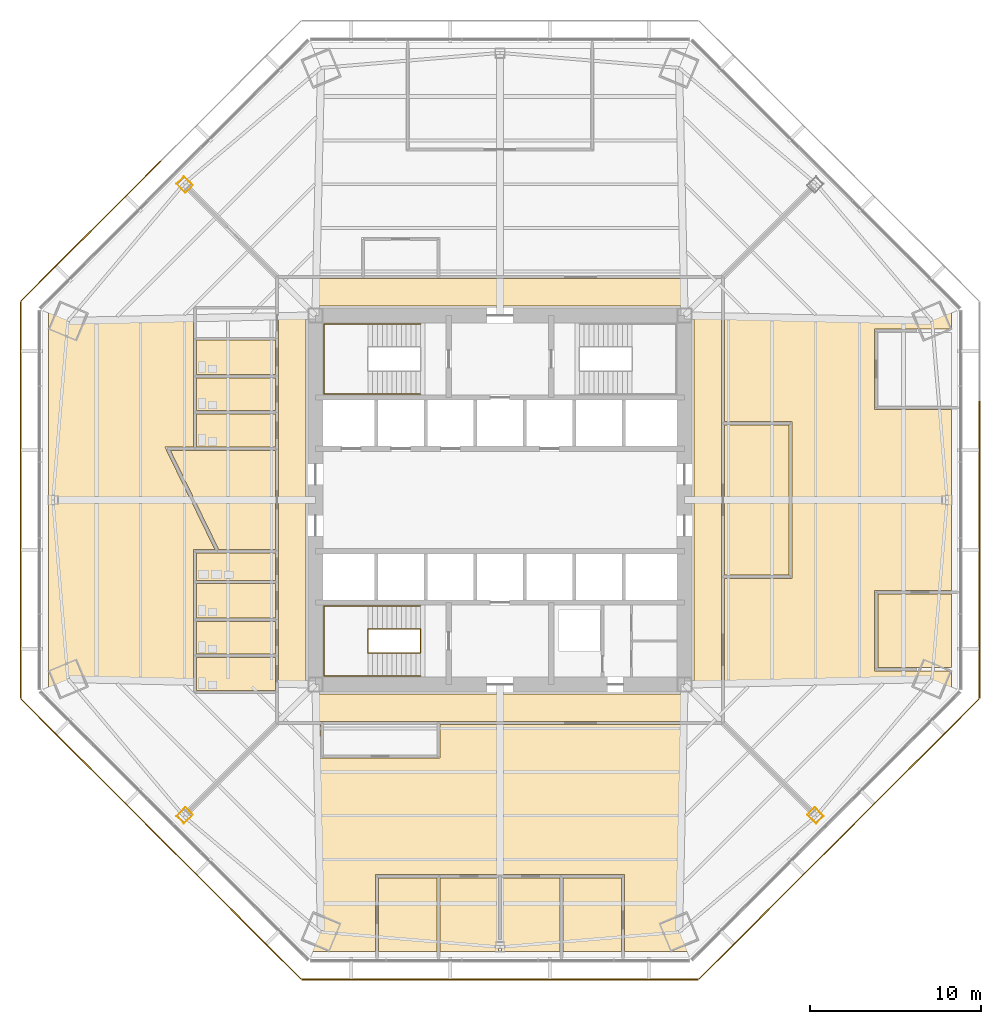
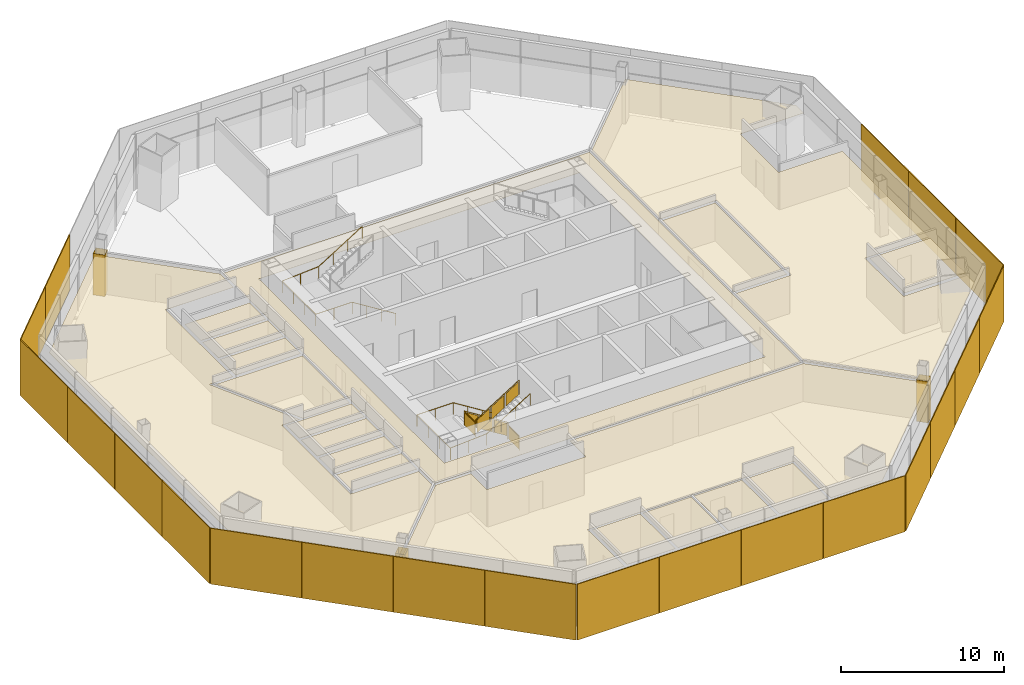
# One storey, part 13 of 15: 21 coverings, 21 shading devices, 3 railings.
"""IFC4 building model written with IfcOpenShell, lengths in metres."""

from ifc_helpers import new_model, si_unit, direction, frame, origin, origin_2d, place, context, subcontext, project, spatial, polyline, rectangle, circle, outline, extrude, source, transform, mapped, material, layer, layer_set, type_object, type_shapes, element, save


model = new_model("IFC4")

# Units and contexts
model_context = context("Model", 3, precision=1e-05, world=origin(), true_north=direction((0.0, 1.0)))
body_context = subcontext(model_context, "Body", "Model", "MODEL_VIEW")
ifc_project = project(units=[si_unit("LENGTHUNIT", "METRE"), si_unit("AREAUNIT", "SQUARE_METRE"), si_unit("VOLUMEUNIT", "CUBIC_METRE"), si_unit("PLANEANGLEUNIT", "RADIAN"), si_unit("MASSUNIT", "GRAM", prefix="KILO")], contexts=[model_context])

# Site, building, storey
site_placement = place(None, origin())
site = spatial("IfcSite", under=ifc_project, at=site_placement, CompositionType="ELEMENT")
building_placement = place(site_placement, origin())
building = spatial("IfcBuilding", under=site, at=building_placement, Name="Mashrafa Tower", CompositionType="ELEMENT")
storey_placement = place(building_placement, frame((0.0, 0.0, 37.199951171875)))
storey = spatial("IfcBuildingStorey", under=building, at=storey_placement, Name="L07", CompositionType="ELEMENT", Elevation=37.199951171875)

# Coverings
ifc_material_1 = material(Name="Gypsum board")
ifc_layer_1 = layer(ifc_material_1, 0.014892578125)
ifc_layer_set_1 = layer_set([ifc_layer_1], Name="Column casing plasterboard 15")
covering_type_1 = type_object("IfcCoveringType", Name="Column casing plasterboard 15", PredefinedType="CLADDING", material=ifc_layer_set_1)
covering_1_placement = place(storey_placement, origin())
element("IfcCovering", 1, at=covering_1_placement, inside=storey, type_object=covering_type_1, Name="Column casing L07-002", PredefinedType="CLADDING", context=body_context, shape_type="SweptSolid", body=[
    extrude(outline(polyline([(-18.9453125, 18.499755859375), (-18.499755859375, 18.9453125), (-17.969970703125, 18.41552734375), (-18.41552734375, 17.969970703125), (-18.9453125, 18.499755859375)]), holes=[polyline([(-17.9912109375, 18.41552734375), (-18.499755859375, 18.923828125), (-18.923828125, 18.499755859375), (-18.41552734375, 17.9912109375), (-17.9912109375, 18.41552734375)])]), origin(), (0.0, 0.0, 1.0), 3.097900390625),
])
covering_2_placement = place(storey_placement, origin())
element("IfcCovering", 2, at=covering_2_placement, inside=storey, type_object=covering_type_1, Name="Column casing L07-003", PredefinedType="CLADDING", context=body_context, shape_type="SweptSolid", body=[
    extrude(outline(polyline([(-18.9453125, -18.499755859375), (-18.41552734375, -17.969970703125), (-17.969970703125, -18.41552734375), (-18.499755859375, -18.9453125), (-18.9453125, -18.499755859375)]), holes=[polyline([(-17.9912109375, -18.41552734375), (-18.41552734375, -17.9912109375), (-18.923828125, -18.499755859375), (-18.499755859375, -18.923828125), (-17.9912109375, -18.41552734375)])]), origin(), (0.0, 0.0, 1.0), 3.097900390625),
])
covering_3_placement = place(storey_placement, origin())
element("IfcCovering", 3, at=covering_3_placement, inside=storey, type_object=covering_type_1, Name="Column casing L07-004", PredefinedType="CLADDING", context=body_context, shape_type="SweptSolid", body=[
    extrude(outline(polyline([(17.969970703125, -18.41552734375), (18.41552734375, -17.969970703125), (18.9453125, -18.499755859375), (18.499755859375, -18.9453125), (17.969970703125, -18.41552734375)]), holes=[polyline([(18.923828125, -18.499755859375), (18.41552734375, -17.9912109375), (17.9912109375, -18.41552734375), (18.499755859375, -18.923828125), (18.923828125, -18.499755859375)])]), origin(), (0.0, 0.0, 1.0), 3.097900390625),
])

# Railings
ifc_material_2 = material(Name="Steel guard with glass infill", Category="steel")
railing_type_1 = type_object("IfcRailingType", Name="Stair guard 1100", PredefinedType="GUARDRAIL", material=ifc_material_2)
railing_1_placement = place(storey_placement, frame((-4.64990234375, -8.949951171875, 0.0)))
element("IfcRailing", 4, at=railing_1_placement, inside=storey, type_object=railing_type_1, Name="Stair S3 guard L07", PredefinedType="GUARDRAIL", context=body_context, shape_type="SweptSolid", body=[
    extrude(circle(Radius=0.02392578125, at=origin_2d()), frame((0.0, 0.0, 1.076171875), z_axis=(0.0, 1.0, 0.0), x_axis=(-1.0, 0.0, 0.0)), (0.0, 0.0, 1.0), 1.39990234375),
    extrude(circle(Radius=0.02392578125, at=origin_2d()), frame((0.0, 1.39990234375, 1.076171875), z_axis=(0.0, 0.0, 1.0), x_axis=(1.0, 0.0, 0.0)), (0.0, 0.0, 1.0), 0.175048828125),
    extrude(circle(Radius=0.02392578125, at=origin_2d()), frame((0.0, 1.39990234375, 1.2509765625), z_axis=(-0.847998304005, 0.0, 0.529998940003), x_axis=(0.0, -1.0, 0.0)), (0.0, 0.0, 1.0), 3.632080078125),
    extrude(circle(Radius=0.02392578125, at=origin_2d()), frame((-3.080078125, 1.39990234375, 3.17626953125), z_axis=(0.0, -1.0, 0.0), x_axis=(1.0, 0.0, 0.0)), (0.0, 0.0, 1.0), 1.39990234375),
    extrude(circle(Radius=0.02392578125, at=origin_2d()), frame((-3.080078125, 0.0, 3.17626953125), z_axis=(0.0, 0.0, 1.0), x_axis=(1.0, 0.0, 0.0)), (0.0, 0.0, 1.0), 0.175048828125),
    extrude(circle(Radius=0.02392578125, at=origin_2d()), frame((-3.080078125, 0.0, 3.35107421875), z_axis=(0.848028513186, 0.0, 0.529950602248), x_axis=(0.0, 1.0, 0.0)), (0.0, 0.0, 1.0), 3.632080078125),
    extrude(circle(Radius=0.02099609375, at=origin_2d()), origin(), (0.0, 0.0, 1.0), 1.052001953125),
    extrude(circle(Radius=0.02099609375, at=origin_2d()), frame((0.0, 1.39990234375, 0.0)), (0.0, 0.0, 1.0), 1.052001953125),
    extrude(circle(Radius=0.02099609375, at=origin_2d()), frame((0.0, 1.39990234375, 0.175048828125)), (0.0, 0.0, 1.0), 1.052001953125),
    extrude(circle(Radius=0.02099609375, at=origin_2d()), frame((-1.026611328125, 1.39990234375, 0.816650390625)), (0.0, 0.0, 1.0), 1.052001953125),
    extrude(circle(Radius=0.02099609375, at=origin_2d()), frame((-2.053466796875, 1.39990234375, 1.45849609375)), (0.0, 0.0, 1.0), 1.052001953125),
    extrude(circle(Radius=0.02099609375, at=origin_2d()), frame((-3.080078125, 1.39990234375, 2.10009765625)), (0.0, 0.0, 1.0), 1.052001953125),
    extrude(circle(Radius=0.02099609375, at=origin_2d()), frame((-3.080078125, 0.0, 2.10009765625)), (0.0, 0.0, 1.0), 1.052001953125),
    extrude(circle(Radius=0.02099609375, at=origin_2d()), frame((-3.080078125, 0.0, 2.275146484375)), (0.0, 0.0, 1.0), 1.052001953125),
    extrude(circle(Radius=0.02099609375, at=origin_2d()), frame((-2.053466796875, 0.0, 2.916748046875)), (0.0, 0.0, 1.0), 1.052001953125),
    extrude(circle(Radius=0.02099609375, at=origin_2d()), frame((-1.026611328125, 0.0, 3.558349609375)), (0.0, 0.0, 1.0), 1.052001953125),
    extrude(circle(Radius=0.02099609375, at=origin_2d()), frame((0.0, 0.0, 4.199951171875)), (0.0, 0.0, 1.0), 1.052001953125),
    extrude(outline(polyline([(0.071044921875, 0.050048828125), (1.328857421875, 0.050048828125), (1.328857421875, 1.001953125), (0.071044921875, 1.001953125), (0.071044921875, 0.050048828125)])), frame((0.006103515625, 0.0, 0.0), z_axis=(1.0, 0.0, 0.0), x_axis=(0.0, 1.0, 0.0)), (0.0, 0.0, 1.0), 0.011962890625),
    extrude(outline(polyline([(0.071044921875, 0.094482421875), (0.955810546875, 0.647216796875), (0.955810546875, 1.599365234375), (0.071044921875, 1.04638671875), (0.071044921875, 0.094482421875)])), frame((0.0, 1.406005859375, 0.175048828125), z_axis=(0.0, 1.0, 0.0), x_axis=(-1.0, 0.0, 0.0)), (0.0, 0.0, 1.0), 0.011962890625),
    extrude(outline(polyline([(1.09765625, 0.736083984375), (1.982421875, 1.2890625), (1.982421875, 2.240966796875), (1.09765625, 1.68798828125), (1.09765625, 0.736083984375)])), frame((0.0, 1.406005859375, 0.175048828125), z_axis=(0.0, 1.0, 0.0), x_axis=(-1.0, 0.0, 0.0)), (0.0, 0.0, 1.0), 0.011962890625),
    extrude(outline(polyline([(2.124267578125, 1.377685546875), (3.009033203125, 1.9306640625), (3.009033203125, 2.882568359375), (2.124267578125, 2.329833984375), (2.124267578125, 1.377685546875)])), frame((0.0, 1.406005859375, 0.175048828125), z_axis=(0.0, 1.0, 0.0), x_axis=(-1.0, 0.0, 0.0)), (0.0, 0.0, 1.0), 0.011962890625),
    extrude(outline(polyline([(0.071044921875, 0.050048828125), (1.328857421875, 0.050048828125), (1.328857421875, 1.001953125), (0.071044921875, 1.001953125), (0.071044921875, 0.050048828125)])), frame((-3.086181640625, 1.39990234375, 2.10009765625), z_axis=(-1.0, 0.0, 0.0), x_axis=(0.0, -1.0, 0.0)), (0.0, 0.0, 1.0), 0.011962890625),
    extrude(outline(polyline([(0.071044921875, 0.094482421875), (0.955810546875, 0.647216796875), (0.955810546875, 1.59912109375), (0.071044921875, 1.04638671875), (0.071044921875, 0.094482421875)])), frame((-3.080078125, -0.006103515625, 2.275146484375), z_axis=(0.0, -1.0, 0.0), x_axis=(1.0, 0.0, 0.0)), (0.0, 0.0, 1.0), 0.011962890625),
    extrude(outline(polyline([(1.09765625, 0.736083984375), (1.982421875, 1.288818359375), (1.982421875, 2.24072265625), (1.09765625, 1.68798828125), (1.09765625, 0.736083984375)])), frame((-3.080078125, -0.006103515625, 2.275146484375), z_axis=(0.0, -1.0, 0.0), x_axis=(1.0, 0.0, 0.0)), (0.0, 0.0, 1.0), 0.011962890625),
    extrude(outline(polyline([(2.124267578125, 1.377685546875), (3.009033203125, 1.930419921875), (3.009033203125, 2.88232421875), (2.124267578125, 2.32958984375), (2.124267578125, 1.377685546875)])), frame((-3.080078125, -0.006103515625, 2.275146484375), z_axis=(0.0, -1.0, 0.0), x_axis=(1.0, 0.0, 0.0)), (0.0, 0.0, 1.0), 0.011962890625),
])
ifc_material_3 = material(Name="Steel", Category="steel")
railing_type_2 = type_object("IfcRailingType", Name="Stair handrail 900", PredefinedType="HANDRAIL", material=ifc_material_3)
railing_2_placement = place(storey_placement, frame((-4.64990234375, 6.199951171875, 0.175048828125)))
element("IfcRailing", 5, at=railing_2_placement, inside=storey, type_object=railing_type_2, Name="Stair S1 handrail L07", PredefinedType="HANDRAIL", context=body_context, shape_type="SweptSolid", body=[
    extrude(circle(Radius=0.02392578125, at=origin_2d()), frame((0.0, 0.0, 0.8759765625), z_axis=(-0.847998304005, 0.0, 0.529998940003), x_axis=(0.0, -1.0, 0.0)), (0.0, 0.0, 1.0), 3.632080078125),
    extrude(circle(Radius=0.02392578125, at=origin_2d()), frame((-3.080078125, 0.0, 2.80078125), z_axis=(-1.0, 0.0, 0.0), x_axis=(0.0, -1.0, 0.0)), (0.0, 0.0, 1.0), 2.570068359375),
    extrude(circle(Radius=0.02392578125, at=origin_2d()), frame((-5.650146484375, 0.0, 2.80078125), z_axis=(0.0, 1.0, 0.0), x_axis=(-1.0, 0.0, 0.0)), (0.0, 0.0, 1.0), 4.10009765625),
    extrude(circle(Radius=0.02392578125, at=origin_2d()), frame((-5.650146484375, 4.10009765625, 2.80078125), z_axis=(0.997688514158, 0.0, 0.067953136188), x_axis=(0.0, 1.0, 0.0)), (0.0, 0.0, 1.0), 2.575927734375),
    extrude(circle(Radius=0.02392578125, at=origin_2d()), frame((-3.080078125, 4.10009765625, 2.97607421875), z_axis=(0.848028513186, 0.0, 0.529950602248), x_axis=(0.0, 1.0, 0.0)), (0.0, 0.0, 1.0), 3.632080078125),
    extrude(circle(Radius=0.02099609375, at=origin_2d()), origin(), (0.0, 0.0, 1.0), 0.851806640625),
    extrude(circle(Radius=0.02099609375, at=origin_2d()), frame((-1.026611328125, 0.0, 0.6416015625)), (0.0, 0.0, 1.0), 0.851806640625),
    extrude(circle(Radius=0.02099609375, at=origin_2d()), frame((-2.053466796875, 0.0, 1.283447265625)), (0.0, 0.0, 1.0), 0.851806640625),
    extrude(circle(Radius=0.02099609375, at=origin_2d()), frame((-3.080078125, 0.0, 1.925048828125)), (0.0, 0.0, 1.0), 0.851806640625),
    extrude(circle(Radius=0.02099609375, at=origin_2d()), frame((-4.365234375, 0.0, 1.925048828125)), (0.0, 0.0, 1.0), 0.851806640625),
    extrude(circle(Radius=0.02099609375, at=origin_2d()), frame((-5.650146484375, 0.0, 1.925048828125)), (0.0, 0.0, 1.0), 0.851806640625),
    extrude(circle(Radius=0.02099609375, at=origin_2d()), frame((-5.650146484375, 1.36669921875, 1.925048828125)), (0.0, 0.0, 1.0), 0.851806640625),
    extrude(circle(Radius=0.02099609375, at=origin_2d()), frame((-5.650146484375, 2.7333984375, 1.925048828125)), (0.0, 0.0, 1.0), 0.851806640625),
    extrude(circle(Radius=0.02099609375, at=origin_2d()), frame((-5.650146484375, 4.10009765625, 1.925048828125)), (0.0, 0.0, 1.0), 0.851806640625),
    extrude(circle(Radius=0.02099609375, at=origin_2d()), frame((-4.365234375, 4.10009765625, 2.0126953125)), (0.0, 0.0, 1.0), 0.851806640625),
    extrude(circle(Radius=0.02099609375, at=origin_2d()), frame((-3.080078125, 4.10009765625, 2.10009765625)), (0.0, 0.0, 1.0), 0.851806640625),
    extrude(circle(Radius=0.02099609375, at=origin_2d()), frame((-2.053466796875, 4.10009765625, 2.74169921875)), (0.0, 0.0, 1.0), 0.851806640625),
    extrude(circle(Radius=0.02099609375, at=origin_2d()), frame((-1.026611328125, 4.10009765625, 3.38330078125)), (0.0, 0.0, 1.0), 0.851806640625),
    extrude(circle(Radius=0.02099609375, at=origin_2d()), frame((0.0, 4.10009765625, 4.02490234375)), (0.0, 0.0, 1.0), 0.851806640625),
])
railing_3_placement = place(storey_placement, frame((-4.64990234375, -6.199951171875, 0.175048828125)))
element("IfcRailing", 6, at=railing_3_placement, inside=storey, type_object=railing_type_2, Name="Stair S3 handrail L07", PredefinedType="HANDRAIL", context=body_context, shape_type="SweptSolid", body=[
    extrude(circle(Radius=0.02392578125, at=origin_2d()), frame((0.0, 0.0, 0.8759765625), z_axis=(-0.847998304005, 0.0, 0.529998940003), x_axis=(0.0, -1.0, 0.0)), (0.0, 0.0, 1.0), 3.632080078125),
    extrude(circle(Radius=0.02392578125, at=origin_2d()), frame((-3.080078125, 0.0, 2.80078125), z_axis=(-1.0, 0.0, 0.0), x_axis=(0.0, -1.0, 0.0)), (0.0, 0.0, 1.0), 2.570068359375),
    extrude(circle(Radius=0.02392578125, at=origin_2d()), frame((-5.650146484375, 0.0, 2.80078125), z_axis=(0.0, -1.0, 0.0), x_axis=(1.0, 0.0, 0.0)), (0.0, 0.0, 1.0), 4.10009765625),
    extrude(circle(Radius=0.02392578125, at=origin_2d()), frame((-5.650146484375, -4.10009765625, 2.80078125), z_axis=(0.997688514158, 0.0, 0.067953136188), x_axis=(0.0, 1.0, 0.0)), (0.0, 0.0, 1.0), 2.575927734375),
    extrude(circle(Radius=0.02392578125, at=origin_2d()), frame((-3.080078125, -4.10009765625, 2.97607421875), z_axis=(0.848028513186, 0.0, 0.529950602248), x_axis=(0.0, 1.0, 0.0)), (0.0, 0.0, 1.0), 3.632080078125),
    extrude(circle(Radius=0.02099609375, at=origin_2d()), origin(), (0.0, 0.0, 1.0), 0.851806640625),
    extrude(circle(Radius=0.02099609375, at=origin_2d()), frame((-1.026611328125, 0.0, 0.6416015625)), (0.0, 0.0, 1.0), 0.851806640625),
    extrude(circle(Radius=0.02099609375, at=origin_2d()), frame((-2.053466796875, 0.0, 1.283447265625)), (0.0, 0.0, 1.0), 0.851806640625),
    extrude(circle(Radius=0.02099609375, at=origin_2d()), frame((-3.080078125, 0.0, 1.925048828125)), (0.0, 0.0, 1.0), 0.851806640625),
    extrude(circle(Radius=0.02099609375, at=origin_2d()), frame((-4.365234375, 0.0, 1.925048828125)), (0.0, 0.0, 1.0), 0.851806640625),
    extrude(circle(Radius=0.02099609375, at=origin_2d()), frame((-5.650146484375, 0.0, 1.925048828125)), (0.0, 0.0, 1.0), 0.851806640625),
    extrude(circle(Radius=0.02099609375, at=origin_2d()), frame((-5.650146484375, -1.36669921875, 1.925048828125)), (0.0, 0.0, 1.0), 0.851806640625),
    extrude(circle(Radius=0.02099609375, at=origin_2d()), frame((-5.650146484375, -2.7333984375, 1.925048828125)), (0.0, 0.0, 1.0), 0.851806640625),
    extrude(circle(Radius=0.02099609375, at=origin_2d()), frame((-5.650146484375, -4.10009765625, 1.925048828125)), (0.0, 0.0, 1.0), 0.851806640625),
    extrude(circle(Radius=0.02099609375, at=origin_2d()), frame((-4.365234375, -4.10009765625, 2.0126953125)), (0.0, 0.0, 1.0), 0.851806640625),
    extrude(circle(Radius=0.02099609375, at=origin_2d()), frame((-3.080078125, -4.10009765625, 2.10009765625)), (0.0, 0.0, 1.0), 0.851806640625),
    extrude(circle(Radius=0.02099609375, at=origin_2d()), frame((-2.053466796875, -4.10009765625, 2.74169921875)), (0.0, 0.0, 1.0), 0.851806640625),
    extrude(circle(Radius=0.02099609375, at=origin_2d()), frame((-1.026611328125, -4.10009765625, 3.38330078125)), (0.0, 0.0, 1.0), 0.851806640625),
    extrude(circle(Radius=0.02099609375, at=origin_2d()), frame((0.0, -4.10009765625, 4.02490234375)), (0.0, 0.0, 1.0), 0.851806640625),
])

# Coverings
ifc_material_4 = material(Name="Mineral fibre tile on suspension grid")
ifc_layer_2 = layer(ifc_material_4, 0.014892578125)
ifc_layer_set_2 = layer_set([ifc_layer_2], Name="Suspended ceiling mineral tile 15")
covering_type_2 = type_object("IfcCoveringType", Name="Suspended ceiling mineral tile 15", PredefinedType="CEILING", material=ifc_layer_set_2)
covering_4_placement = place(storey_placement, frame((0.0, 0.0, 2.85009765625)))
element("IfcCovering", 7, at=covering_4_placement, inside=storey, type_object=covering_type_2, Name="Ceiling Office Corridor L07", PredefinedType="CEILING", context=body_context, shape_type="SweptSolid", body=[
    extrude(outline(polyline([(-12.949951171875, -12.949951171875), (-12.949951171875, 12.949951171875), (12.949951171875, 12.949951171875), (12.949951171875, -12.949951171875), (-12.949951171875, -12.949951171875)]), holes=[polyline([(11.35009765625, 11.35009765625), (-11.35009765625, 11.35009765625), (-11.35009765625, -11.35009765625), (11.35009765625, -11.35009765625), (11.35009765625, 11.35009765625)])]), origin(), (0.0, 0.0, 1.0), 0.014892578125),
])
covering_5_placement = place(storey_placement, frame((0.0, 0.0, 2.900146484375)))
element("IfcCovering", 8, at=covering_5_placement, inside=storey, type_object=covering_type_2, Name="Ceiling WC Female L07 N", PredefinedType="CEILING", context=body_context, shape_type="SweptSolid", body=[
    extrude(outline(polyline([(-17.75, 3.10009765625), (-17.75, 5.02490234375), (-13.14990234375, 5.02490234375), (-13.14990234375, 3.10009765625), (-17.75, 3.10009765625)])), origin(), (0.0, 0.0, 1.0), 0.014892578125),
])
covering_6_placement = place(storey_placement, frame((0.0, 0.0, 2.900146484375)))
element("IfcCovering", 9, at=covering_6_placement, inside=storey, type_object=covering_type_2, Name="Ceiling WC Male L07 N", PredefinedType="CEILING", context=body_context, shape_type="SweptSolid", body=[
    extrude(outline(polyline([(-17.75, 5.22509765625), (-17.75, 7.14990234375), (-13.14990234375, 7.14990234375), (-13.14990234375, 5.22509765625), (-17.75, 5.22509765625)])), origin(), (0.0, 0.0, 1.0), 0.014892578125),
])
covering_7_placement = place(storey_placement, frame((0.0, 0.0, 2.900146484375)))
element("IfcCovering", 10, at=covering_7_placement, inside=storey, type_object=covering_type_2, Name="Ceiling Accessible WC L07 N", PredefinedType="CEILING", context=body_context, shape_type="SweptSolid", body=[
    extrude(outline(polyline([(-17.75, 7.35009765625), (-17.75, 9.35009765625), (-13.14990234375, 9.35009765625), (-13.14990234375, 7.35009765625), (-17.75, 7.35009765625)])), origin(), (0.0, 0.0, 1.0), 0.014892578125),
])
covering_8_placement = place(storey_placement, frame((0.0, 0.0, 2.900146484375)))
element("IfcCovering", 11, at=covering_8_placement, inside=storey, type_object=covering_type_2, Name="Ceiling WC Female L07 S", PredefinedType="CEILING", context=body_context, shape_type="SweptSolid", body=[
    extrude(outline(polyline([(-17.75, -11.14990234375), (-17.75, -9.22509765625), (-13.14990234375, -9.22509765625), (-13.14990234375, -11.14990234375), (-17.75, -11.14990234375)])), origin(), (0.0, 0.0, 1.0), 0.014892578125),
])
covering_9_placement = place(storey_placement, frame((0.0, 0.0, 2.900146484375)))
element("IfcCovering", 12, at=covering_9_placement, inside=storey, type_object=covering_type_2, Name="Ceiling WC Male L07 S", PredefinedType="CEILING", context=body_context, shape_type="SweptSolid", body=[
    extrude(outline(polyline([(-17.75, -9.02490234375), (-17.75, -7.10009765625), (-13.14990234375, -7.10009765625), (-13.14990234375, -9.02490234375), (-17.75, -9.02490234375)])), origin(), (0.0, 0.0, 1.0), 0.014892578125),
])
covering_10_placement = place(storey_placement, frame((0.0, 0.0, 2.900146484375)))
element("IfcCovering", 13, at=covering_10_placement, inside=storey, type_object=covering_type_2, Name="Ceiling Accessible WC L07 S", PredefinedType="CEILING", context=body_context, shape_type="SweptSolid", body=[
    extrude(outline(polyline([(-17.75, -6.89990234375), (-17.75, -4.89990234375), (-13.14990234375, -4.89990234375), (-13.14990234375, -6.89990234375), (-17.75, -6.89990234375)])), origin(), (0.0, 0.0, 1.0), 0.014892578125),
])
covering_11_placement = place(storey_placement, frame((0.0, 0.0, 2.900146484375)))
element("IfcCovering", 14, at=covering_11_placement, inside=storey, type_object=covering_type_2, Name="Ceiling Ablution Room L07 S", PredefinedType="CEILING", context=body_context, shape_type="SweptSolid", body=[
    extrude(outline(polyline([(-17.75, -4.699951171875), (-17.75, -3.10009765625), (-13.14990234375, -3.10009765625), (-13.14990234375, -4.699951171875), (-17.75, -4.699951171875)])), origin(), (0.0, 0.0, 1.0), 0.014892578125),
])
covering_12_placement = place(storey_placement, frame((0.0, 0.0, 2.85009765625)))
element("IfcCovering", 15, at=covering_12_placement, inside=storey, type_object=covering_type_2, Name="Ceiling Musallah Prayer Room 07", PredefinedType="CEILING", context=body_context, shape_type="SweptSolid", body=[
    extrude(outline(polyline([(-16.461181640625, -2.89990234375), (-19.2900390625, 2.89990234375), (-13.14990234375, 2.89990234375), (-13.14990234375, -2.89990234375), (-16.461181640625, -2.89990234375)])), origin(), (0.0, 0.0, 1.0), 0.014892578125),
])
covering_13_placement = place(storey_placement, frame((0.0, 0.0, 2.85009765625)))
element("IfcCovering", 16, at=covering_13_placement, inside=storey, type_object=covering_type_2, Name="Ceiling Reception and Waiting 07", PredefinedType="CEILING", context=body_context, shape_type="SweptSolid", body=[
    extrude(outline(polyline([(13.14990234375, 4.39990234375), (16.89990234375, 4.39990234375), (16.89990234375, -4.39990234375), (13.14990234375, -4.39990234375), (13.14990234375, 4.39990234375)])), origin(), (0.0, 0.0, 1.0), 0.014892578125),
])
covering_14_placement = place(storey_placement, frame((0.0, 0.0, 2.900146484375)))
element("IfcCovering", 17, at=covering_14_placement, inside=storey, type_object=covering_type_2, Name="Ceiling Executive Office 07-1", PredefinedType="CEILING", context=body_context, shape_type="SweptSolid", body=[
    extrude(outline(polyline([(-7.10009765625, -22.1123046875), (-3.699951171875, -22.1123046875), (-3.699951171875, -26.412353515625), (-7.10009765625, -26.412353515625), (-7.10009765625, -22.1123046875)])), origin(), (0.0, 0.0, 1.0), 0.014892578125),
])
covering_15_placement = place(storey_placement, frame((0.0, 0.0, 2.900146484375)))
element("IfcCovering", 18, at=covering_15_placement, inside=storey, type_object=covering_type_2, Name="Ceiling Executive Office 07-2", PredefinedType="CEILING", context=body_context, shape_type="SweptSolid", body=[
    extrude(outline(polyline([(-3.5, -22.1123046875), (-0.10009765625, -22.1123046875), (-0.10009765625, -26.412353515625), (-3.5, -26.412353515625), (-3.5, -22.1123046875)])), origin(), (0.0, 0.0, 1.0), 0.014892578125),
])
covering_16_placement = place(storey_placement, frame((0.0, 0.0, 2.900146484375)))
element("IfcCovering", 19, at=covering_16_placement, inside=storey, type_object=covering_type_2, Name="Ceiling Executive Office 07-3", PredefinedType="CEILING", context=body_context, shape_type="SweptSolid", body=[
    extrude(outline(polyline([(0.10009765625, -22.1123046875), (3.5, -22.1123046875), (3.5, -26.412353515625), (0.10009765625, -26.412353515625), (0.10009765625, -22.1123046875)])), origin(), (0.0, 0.0, 1.0), 0.014892578125),
])
covering_17_placement = place(storey_placement, frame((0.0, 0.0, 2.900146484375)))
element("IfcCovering", 20, at=covering_17_placement, inside=storey, type_object=covering_type_2, Name="Ceiling Executive Office 07-4", PredefinedType="CEILING", context=body_context, shape_type="SweptSolid", body=[
    extrude(outline(polyline([(3.699951171875, -22.1123046875), (7.10009765625, -22.1123046875), (7.10009765625, -26.412353515625), (3.699951171875, -26.412353515625), (3.699951171875, -22.1123046875)])), origin(), (0.0, 0.0, 1.0), 0.014892578125),
])
covering_18_placement = place(storey_placement, frame((0.0, 0.0, 2.900146484375)))
element("IfcCovering", 21, at=covering_18_placement, inside=storey, type_object=covering_type_2, Name="Ceiling Meeting Room 07-2", PredefinedType="CEILING", context=body_context, shape_type="SweptSolid", body=[
    extrude(outline(polyline([(22.1123046875, -5.5), (26.412353515625, -5.5), (26.412353515625, -9.800048828125), (22.1123046875, -9.800048828125), (22.1123046875, -5.5)])), origin(), (0.0, 0.0, 1.0), 0.014892578125),
])
covering_19_placement = place(storey_placement, frame((0.0, 0.0, 2.85009765625)))
element("IfcCovering", 22, at=covering_19_placement, inside=storey, type_object=covering_type_2, Name="Ceiling Private Banking Office 07", PredefinedType="CEILING", context=body_context, shape_type="SweptSolid", body=[
    extrude(outline(polyline([(13.14990234375, 13.008544921875), (18.7470703125, 18.605712890625), (26.412353515625, 10.9404296875), (26.412353515625, 10.0), (21.912353515625, 10.0), (21.912353515625, 5.300048828125), (26.412353515625, 5.300048828125), (26.412353515625, -5.300048828125), (21.912353515625, -5.300048828125), (21.912353515625, -10.0), (26.412353515625, -10.0), (26.412353515625, -10.9404296875), (18.7470703125, -18.605712890625), (13.14990234375, -13.008544921875), (13.14990234375, -4.60009765625), (17.10009765625, -4.60009765625), (17.10009765625, 4.60009765625), (13.14990234375, 4.60009765625), (13.14990234375, 13.008544921875)])), origin(), (0.0, 0.0, 1.0), 0.014892578125),
])
covering_20_placement = place(storey_placement, frame((0.0, 0.0, 2.85009765625)))
element("IfcCovering", 23, at=covering_20_placement, inside=storey, type_object=covering_type_2, Name="Ceiling Treasury Operations Office 07", PredefinedType="CEILING", context=body_context, shape_type="SweptSolid", body=[
    extrude(outline(polyline([(13.008544921875, -13.14990234375), (18.605712890625, -18.7470703125), (10.9404296875, -26.412353515625), (7.300048828125, -26.412353515625), (7.300048828125, -21.912353515625), (-7.300048828125, -21.912353515625), (-7.300048828125, -26.412353515625), (-10.9404296875, -26.412353515625), (-18.605712890625, -18.7470703125), (-13.008544921875, -13.14990234375), (-10.5, -13.14990234375), (-10.5, -15.10009765625), (-3.5, -15.10009765625), (-3.5, -13.14990234375), (13.008544921875, -13.14990234375)])), origin(), (0.0, 0.0, 1.0), 0.014892578125),
])
covering_21_placement = place(storey_placement, frame((0.0, 0.0, 2.85009765625)))
element("IfcCovering", 24, at=covering_21_placement, inside=storey, type_object=covering_type_2, Name="Ceiling Risk and Compliance Office 07", PredefinedType="CEILING", context=body_context, shape_type="SweptSolid", body=[
    extrude(outline(polyline([(-13.14990234375, -13.008544921875), (-18.7470703125, -18.605712890625), (-26.412353515625, -10.9404296875), (-26.412353515625, 10.9404296875), (-18.7470703125, 18.605712890625), (-13.14990234375, 13.008544921875), (-13.14990234375, 11.35009765625), (-17.949951171875, 11.35009765625), (-17.949951171875, 3.10009765625), (-19.610107421875, 3.10009765625), (-16.68359375, -2.89990234375), (-17.949951171875, -2.89990234375), (-17.949951171875, -11.35009765625), (-13.14990234375, -11.35009765625), (-13.14990234375, -13.008544921875)])), origin(), (0.0, 0.0, 1.0), 0.014892578125),
])

# Shading devices
ifc_material_5 = material(Name="Perforated aluminium plate, eight-point star pattern", Category="aluminium")
ifc_layer_3 = layer(ifc_material_5, 0.06005859375)
ifc_layer_set_3 = layer_set([ifc_layer_3], Name="Mashrabiya screen panel office zone 1, 45 percent open")
shading_device_type = type_object("IfcShadingDeviceType", Name="Mashrabiya screen panel office zone 1, 45 percent open", PredefinedType="SHUTTER", material=ifc_layer_set_3)
shared_shape = source(origin(), body_context, "Body", "SweptSolid", [
    extrude(rectangle(XDim=5.78076171875, YDim=0.06005859375, at=origin_2d()), origin(), (0.0, 0.0, 1.0), 4.179931640625),
])
type_shapes(shading_device_type, [shared_shape])
for number, where, z_axis, x_axis, name in (
    (25, (28.062255859375, -8.700927734375, -0.14990234375), (0.0, 0.0, 1.0), (0.0, 1.0, 0.0), "Mashrabiya screen L07 east 1"),
    (26, (28.062255859375, -2.900390625, -0.14990234375), (0.0, 0.0, 1.0), (0.0, 1.0, 0.0), "Mashrabiya screen L07 east 2"),
    (27, (28.062255859375, 2.900390625, -0.14990234375), (0.0, 0.0, 1.0), (0.0, 1.0, 0.0), "Mashrabiya screen L07 east 3"),
    (28, (-21.89404296875, 17.792236328125, -0.14990234375), (0.0, 0.0, 1.0), (-0.707106781187, -0.707106781187, 0.0), "Mashrabiya screen L07 north-west 3"),
    (29, (-25.99560546875, 13.6904296875, -0.14990234375), (0.0, 0.0, 1.0), (-0.707106781187, -0.707106781187, 0.0), "Mashrabiya screen L07 north-west 4"),
    (30, (-28.062255859375, 8.700927734375, -0.14990234375), (0.0, 0.0, 1.0), (0.0, -1.0, 0.0), "Mashrabiya screen L07 west 1"),
    (31, (-28.062255859375, 2.900390625, -0.14990234375), (0.0, 0.0, 1.0), (0.0, -1.0, 0.0), "Mashrabiya screen L07 west 2"),
    (32, (-28.062255859375, -2.900390625, -0.14990234375), (0.0, 0.0, 1.0), (0.0, -1.0, 0.0), "Mashrabiya screen L07 west 3"),
    (33, (-28.062255859375, -8.700927734375, -0.14990234375), (0.0, 0.0, 1.0), (0.0, -1.0, 0.0), "Mashrabiya screen L07 west 4"),
    (34, (-25.99560546875, -13.6904296875, -0.14990234375), (0.0, 0.0, 1.0), (0.707106781187, -0.707106781187, 0.0), "Mashrabiya screen L07 south-west 1"),
    (35, (-21.89404296875, -17.792236328125, -0.14990234375), (0.0, 0.0, 1.0), (0.707106781187, -0.707106781187, 0.0), "Mashrabiya screen L07 south-west 2"),
    (36, (-17.792236328125, -21.89404296875, -0.14990234375), (0.0, 0.0, 1.0), (0.707106781187, -0.707106781187, 0.0), "Mashrabiya screen L07 south-west 3"),
    (37, (-13.6904296875, -25.99560546875, -0.14990234375), (0.0, 0.0, 1.0), (0.707106781187, -0.707106781187, 0.0), "Mashrabiya screen L07 south-west 4"),
    (38, (-8.700927734375, -28.062255859375, -0.14990234375), (0.0, 0.0, 1.0), (1.0, 0.0, 0.0), "Mashrabiya screen L07 south 1"),
    (39, (-2.900390625, -28.062255859375, -0.14990234375), (0.0, 0.0, 1.0), (1.0, 0.0, 0.0), "Mashrabiya screen L07 south 2"),
    (40, (2.900390625, -28.062255859375, -0.14990234375), (0.0, 0.0, 1.0), (1.0, 0.0, 0.0), "Mashrabiya screen L07 south 3"),
    (41, (8.700927734375, -28.062255859375, -0.14990234375), (0.0, 0.0, 1.0), (1.0, 0.0, 0.0), "Mashrabiya screen L07 south 4"),
    (42, (13.6904296875, -25.99560546875, -0.14990234375), (0.0, 0.0, 1.0), (0.707106781187, 0.707106781187, 0.0), "Mashrabiya screen L07 south-east 1"),
    (43, (17.792236328125, -21.89404296875, -0.14990234375), (0.0, 0.0, 1.0), (0.707106781187, 0.707106781187, 0.0), "Mashrabiya screen L07 south-east 2"),
    (44, (21.89404296875, -17.792236328125, -0.14990234375), (0.0, 0.0, 1.0), (0.707106781187, 0.707106781187, 0.0), "Mashrabiya screen L07 south-east 3"),
    (45, (25.99560546875, -13.6904296875, -0.14990234375), (0.0, 0.0, 1.0), (0.707106781187, 0.707106781187, 0.0), "Mashrabiya screen L07 south-east 4"),
):
    element("IfcShadingDevice", number, at=place(storey_placement, frame(where, z_axis=z_axis, x_axis=x_axis)), inside=storey, type_object=shading_device_type, Name=name, PredefinedType="SHUTTER", context=body_context, shape_type="MappedRepresentation", body=[
        mapped(shared_shape, transform((0.0, 0.0, 0.0))),
    ])

save(model, "model.ifc")
